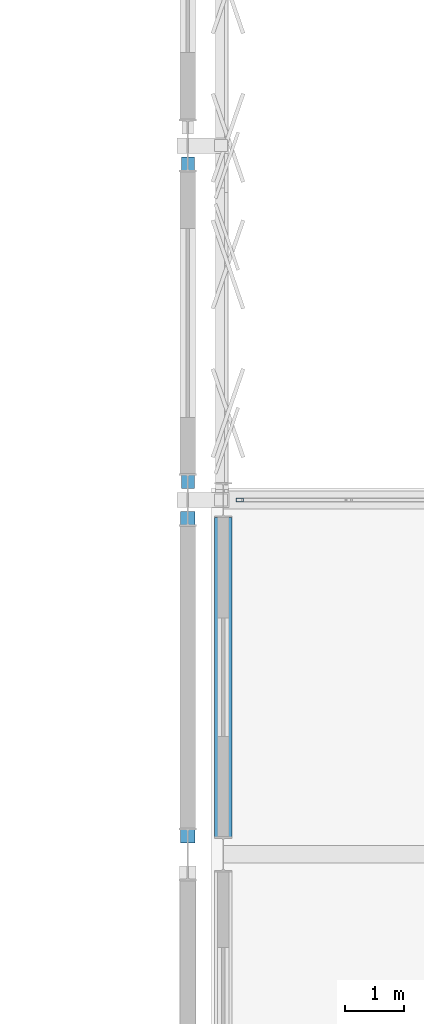
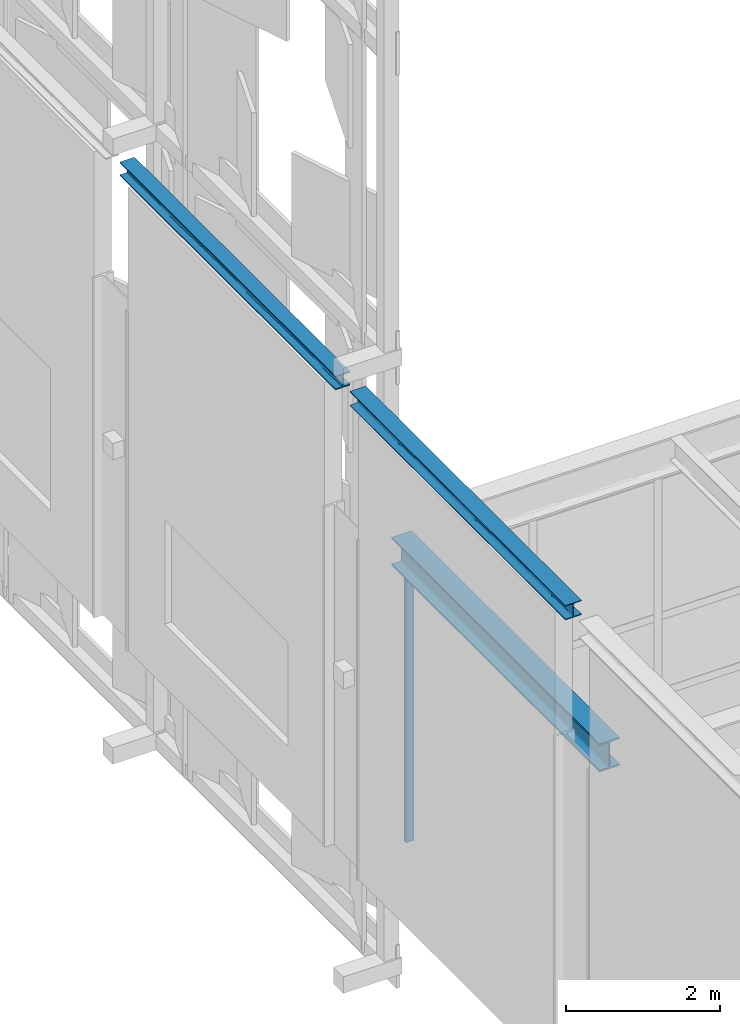
# One storey, part 86 of 210: 3 beams, 1 member, 1 element without a shape of its own.
"""IFC4 building model written with IfcOpenShell, lengths in metres."""

from ifc_helpers import new_model, si_unit, direction, frame, origin, origin_2d, place, context, subcontext, project, spatial, hollow_rectangle, i_section, extrude, material, material_profile, profile_set, type_object, element, aggregate, save


model = new_model("IFC4")

# Units and contexts
model_context = context("Model", 3, precision=1e-05, world=origin(), true_north=direction((0.0, 1.0)))
body_context = subcontext(model_context, "Body", "Model", "MODEL_VIEW")
ifc_project = project(units=[si_unit("LENGTHUNIT", "METRE"), si_unit("AREAUNIT", "SQUARE_METRE"), si_unit("VOLUMEUNIT", "CUBIC_METRE"), si_unit("PLANEANGLEUNIT", "RADIAN"), si_unit("MASSUNIT", "GRAM", prefix="KILO")], contexts=[model_context])

# Site, building, storey
site_placement = place(None, origin())
site = spatial("IfcSite", under=ifc_project, at=site_placement, CompositionType="ELEMENT")
building_placement = place(site_placement, origin())
building = spatial("IfcBuilding", under=site, at=building_placement, Name="Kaldris Quays Convention Centre", CompositionType="ELEMENT")
storey_placement = place(building_placement, frame((0.0, 0.0, 6.0)))
storey = spatial("IfcBuildingStorey", under=building, at=storey_placement, Name="L01", CompositionType="ELEMENT", Elevation=6.0)

# Curtain wall, member
ifc_material_1 = material(Name="Anodized aluminium AW-6060 and triple glazing", Category="aluminium")
curtain_wall_type = type_object("IfcCurtainWallType", Name="UNITISED CURTAIN WALL CW05", PredefinedType="NOTDEFINED", material=ifc_material_1)
curtain_wall_placement = place(storey_placement, origin())
curtain_wall = element("IfcCurtainWall", 1, at=curtain_wall_placement, inside=storey, type_object=curtain_wall_type, Name="L01 Unitised Curtain Wall CW05 140", PredefinedType="NOTDEFINED")
ifc_material_2 = material(Name="Anodized aluminium AW-6060", Category="aluminium")
ifc_material_profile_1 = material_profile(ifc_material_2, hollow_rectangle(XDim=0.06005859375, YDim=0.1201171875, WallThickness=0.00390625, at=origin_2d()), Name="RHS 120x60x4")
ifc_profile_set_1 = profile_set([ifc_material_profile_1], Name="Anodized aluminium AW-6060")
member_type = type_object("IfcMemberType", Name="CURTAIN MULLION CWM3", PredefinedType="MULLION", material=ifc_profile_set_1)
member_placement = place(storey_placement, frame((146.8798828125, 116.0, 0.0), z_axis=(0.0, 0.0, 1.0), x_axis=(0.0, 1.0, 0.0)))
member = element("IfcMember", 2, at=member_placement, type_object=member_type, Name="CW05 mullion 1", PredefinedType="MULLION", context=body_context, shape_type="SweptSolid", body=[
    extrude(hollow_rectangle(XDim=0.06005859375, YDim=0.1201171875, WallThickness=0.00390625, at=origin_2d()), origin(), (0.0, 0.0, 1.0), 4.51806640625),
])
aggregate(curtain_wall, [member])

# Beams
ifc_material_3 = material(Name="Steel S355J2", Category="steel")
ifc_material_profile_2 = material_profile(ifc_material_3, i_section(OverallWidth=0.300048828125, OverallDepth=0.449951171875, WebThickness=0.013916015625, FlangeThickness=0.02587890625, FilletRadius=0.027099609375, at=origin_2d()), Name="HEB 450")
ifc_profile_set_2 = profile_set([ifc_material_profile_2], Name="Steel S355J2")
beam_type_1 = type_object("IfcBeamType", Name="STRUCTURAL BEAM BM07", PredefinedType="BEAM", material=ifc_profile_set_2)
beam_1_placement = place(storey_placement, frame((146.60009765625, 110.2939453125, 4.91796875), z_axis=(0.0, 1.0, 0.0), x_axis=(-1.0, 0.0, 0.0)))
element("IfcBeam", 3, at=beam_1_placement, inside=storey, type_object=beam_type_1, Name="L01 Girder BM07 77", PredefinedType="BEAM", context=body_context, shape_type="SweptSolid", body=[
    extrude(i_section(OverallWidth=0.300048828125, OverallDepth=0.449951171875, WebThickness=0.013916015625, FlangeThickness=0.02587890625, FilletRadius=0.027099609375, at=origin_2d()), origin(), (0.0, 0.0, 1.0), 5.412109375),
])
ifc_material_profile_3 = material_profile(ifc_material_3, i_section(OverallWidth=0.239990234375, OverallDepth=0.22998046875, WebThickness=0.007568359375, FlangeThickness=0.011962890625, FilletRadius=0.02099609375, at=origin_2d()), Name="HEA 240")
ifc_profile_set_3 = profile_set([ifc_material_profile_3], Name="Steel S355J2")
beam_type_2 = type_object("IfcBeamType", Name="STRUCTURAL BEAM SP04", PredefinedType="SPANDREL", material=ifc_profile_set_3)
beam_2_placement = place(storey_placement, frame((146.0, 110.195068359375, 7.485107421875), z_axis=(0.0, 1.0, 0.0), x_axis=(-1.0, 0.0, 0.0)))
element("IfcBeam", 4, at=beam_2_placement, inside=storey, type_object=beam_type_2, Name="L01 Perimeter Wall-Bearing Spandrel SP04 64", PredefinedType="SPANDREL", context=body_context, shape_type="SweptSolid", body=[
    extrude(i_section(OverallWidth=0.239990234375, OverallDepth=0.22998046875, WebThickness=0.007568359375, FlangeThickness=0.011962890625, FilletRadius=0.02099609375, at=origin_2d()), origin(), (0.0, 0.0, 1.0), 5.60986328125),
])
ifc_material_profile_4 = material_profile(ifc_material_3, i_section(OverallWidth=0.219970703125, OverallDepth=0.219970703125, WebThickness=0.009521484375, FlangeThickness=0.01611328125, FilletRadius=0.01806640625, at=origin_2d()), Name="HEB 220")
ifc_profile_set_4 = profile_set([ifc_material_profile_4], Name="Steel S355J2")
beam_type_3 = type_object("IfcBeamType", Name="STRUCTURAL BEAM SP05", PredefinedType="SPANDREL", material=ifc_profile_set_4)
beam_3_placement = place(storey_placement, frame((146.0, 116.195068359375, 7.489990234375), z_axis=(0.0, 1.0, 0.0), x_axis=(-1.0, 0.0, 0.0)))
element("IfcBeam", 5, at=beam_3_placement, inside=storey, type_object=beam_type_3, Name="L01 Perimeter Wall-Bearing Spandrel SP05 65", PredefinedType="SPANDREL", context=body_context, shape_type="SweptSolid", body=[
    extrude(i_section(OverallWidth=0.219970703125, OverallDepth=0.219970703125, WebThickness=0.009521484375, FlangeThickness=0.01611328125, FilletRadius=0.01806640625, at=origin_2d()), origin(), (0.0, 0.0, 1.0), 5.60986328125),
])

save(model, "model.ifc")
